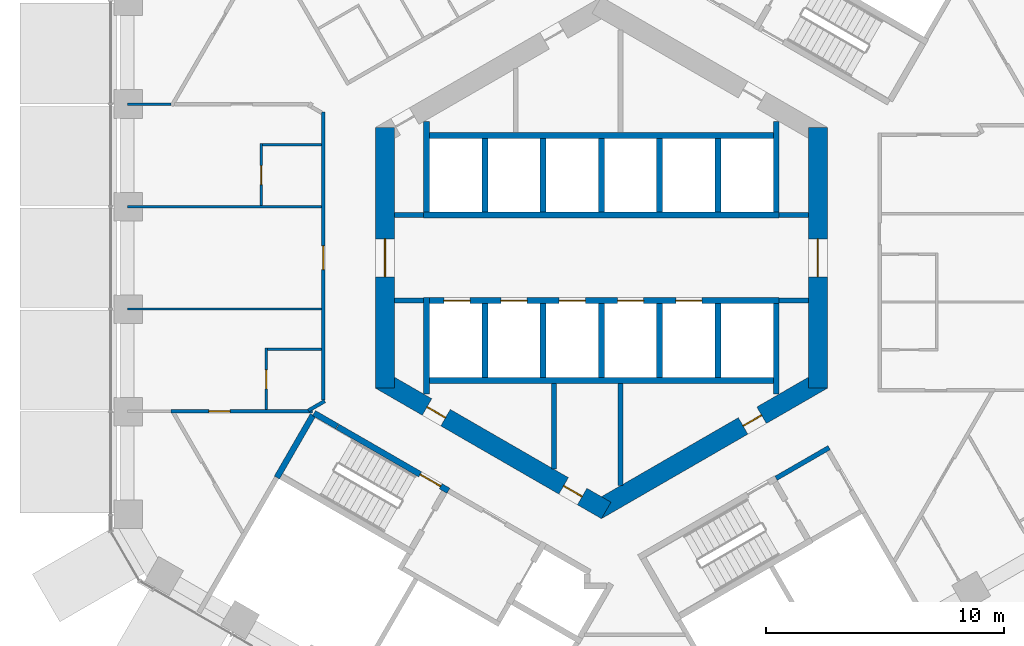
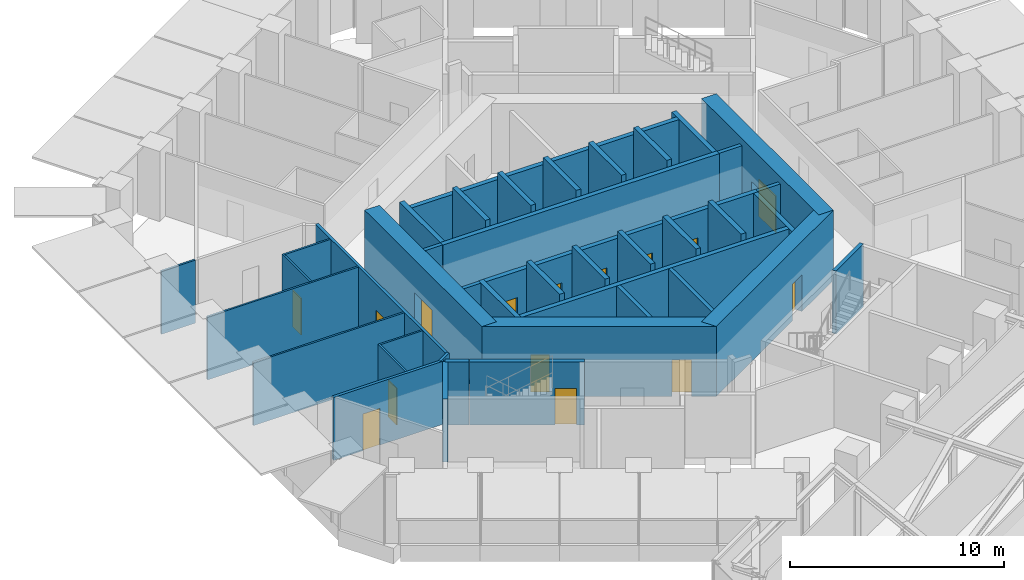
# One storey, part 18 of 28: 42 walls, 15 doors, 15 openings.
"""IFC4 building model written with IfcOpenShell, lengths in metres."""

from ifc_helpers import new_model, si_unit, direction, frame, frame_2d, origin, place, context, subcontext, project, spatial, rectangle, extrude, material, layer, layer_set, type_object, element, fill, save


model = new_model("IFC4")

# Units and contexts
model_context = context("Model", 3, precision=1e-05, world=origin(), true_north=direction((0.0, 1.0)))
body_context = subcontext(model_context, "Body", "Model", "MODEL_VIEW")
ifc_project = project(units=[si_unit("LENGTHUNIT", "METRE"), si_unit("AREAUNIT", "SQUARE_METRE"), si_unit("VOLUMEUNIT", "CUBIC_METRE"), si_unit("PLANEANGLEUNIT", "RADIAN"), si_unit("MASSUNIT", "GRAM", prefix="KILO")], contexts=[model_context])

# Site, building, storey
site_placement = place(None, origin())
site = spatial("IfcSite", under=ifc_project, at=site_placement, CompositionType="ELEMENT")
building_placement = place(site_placement, origin())
building = spatial("IfcBuilding", under=site, at=building_placement, Name="Ayvan Gate Tower", CompositionType="ELEMENT")
storey_placement = place(building_placement, frame((0.0, 0.0, 74.300048828125)))
storey = spatial("IfcBuildingStorey", under=building, at=storey_placement, Name="L19", CompositionType="ELEMENT", Elevation=74.300048828125)

# Wall, opening, door
ifc_material_1 = material(Name="Concrete C70/85", Category="concrete")
ifc_layer_1 = layer(ifc_material_1, 0.800048828125)
ifc_layer_set_1 = layer_set([ifc_layer_1], Name="Concrete C70/85")
wall_type_1 = type_object("IfcWallType", Name="Core wall 800 C70/85", PredefinedType="SHEAR", material=ifc_layer_set_1)
wall_1_placement = place(storey_placement, frame((9.10009765625, -5.48486328125, 0.0), z_axis=(0.0, 0.0, 1.0), x_axis=(0.0, 1.0, 0.0)))
wall_1 = element("IfcWall", 1, at=wall_1_placement, inside=storey, type_object=wall_type_1, Name="CORE-L19-0", PredefinedType="SHEAR", context=body_context, shape_type="SweptSolid", body=[
    extrude(rectangle(XDim=10.9697265625, YDim=0.800048828125, at=frame_2d((5.48486328125, 0.0))), origin(), (0.0, 0.0, 1.0), 4.0),
])
opening_1_placement = place(wall_1_placement, frame((4.684814453125, 0.0, 0.0)))
opening_1 = element("IfcOpeningElement", 2, at=opening_1_placement, cuts=wall_1, Name="Opening L19-D53", PredefinedType="OPENING", context=body_context, shape_type="SweptSolid", body=[
    extrude(rectangle(XDim=1.60009765625, YDim=2.10009765625, at=frame_2d((0.800048828125, 1.050048828125))), frame((0.0, 0.409912109375, 0.0), z_axis=(0.0, -1.0, 0.0), x_axis=(1.0, 0.0, 0.0)), (0.0, 0.0, 1.0), 0.820068359375),
])
ifc_material_2 = material(Name="Timber door leaf", Category="wood")
door_type_1 = type_object("IfcDoorType", Name="DT-1600", OperationType="NOTDEFINED", PredefinedType="DOOR", material=ifc_material_2)
door_1_placement = place(opening_1_placement, origin())
door_1 = element("IfcDoor", 3, at=door_1_placement, inside=storey, type_object=door_type_1, Name="CD-L19-53", OperationType="SINGLE_SWING_RIGHT", OverallHeight=2.10009765625, OverallWidth=1.60009765625, PredefinedType="DOOR", context=body_context, shape_type="SweptSolid", body=[
    extrude(rectangle(XDim=1.60009765625, YDim=2.10009765625, at=frame_2d((0.800048828125, 1.050048828125))), frame((0.0, 0.02490234375, 0.0), z_axis=(0.0, -1.0, 0.0), x_axis=(1.0, 0.0, 0.0)), (0.0, 0.0, 1.0), 0.050048828125),
])
fill(opening_1, door_1)

wall_2_placement = place(storey_placement, frame((-9.10009765625, 5.48486328125, 0.0), z_axis=(0.0, 0.0, 1.0), x_axis=(0.0, -1.0, 0.0)))
wall_2 = element("IfcWall", 4, at=wall_2_placement, inside=storey, type_object=wall_type_1, Name="CORE-L19-3", PredefinedType="SHEAR", context=body_context, shape_type="SweptSolid", body=[
    extrude(rectangle(XDim=10.9697265625, YDim=0.800048828125, at=frame_2d((5.48486328125, 0.0))), origin(), (0.0, 0.0, 1.0), 4.0),
])
opening_2_placement = place(wall_2_placement, frame((4.684814453125, 0.0, 0.0)))
opening_2 = element("IfcOpeningElement", 5, at=opening_2_placement, cuts=wall_2, Name="Opening L19-D54", PredefinedType="OPENING", context=body_context, shape_type="SweptSolid", body=[
    extrude(rectangle(XDim=1.60009765625, YDim=2.10009765625, at=frame_2d((0.800048828125, 1.050048828125))), frame((0.0, 0.409912109375, 0.0), z_axis=(0.0, -1.0, 0.0), x_axis=(1.0, 0.0, 0.0)), (0.0, 0.0, 1.0), 0.820068359375),
])
door_2_placement = place(opening_2_placement, origin())
door_2 = element("IfcDoor", 6, at=door_2_placement, inside=storey, type_object=door_type_1, Name="CD-L19-54", OperationType="SINGLE_SWING_LEFT", OverallHeight=2.10009765625, OverallWidth=1.60009765625, PredefinedType="DOOR", context=body_context, shape_type="SweptSolid", body=[
    extrude(rectangle(XDim=1.60009765625, YDim=2.10009765625, at=frame_2d((0.800048828125, 1.050048828125))), frame((0.0, 0.02490234375, 0.0), z_axis=(0.0, -1.0, 0.0), x_axis=(1.0, 0.0, 0.0)), (0.0, 0.0, 1.0), 0.050048828125),
])
fill(opening_2, door_2)

# Wall, openings, doors
wall_3_placement = place(storey_placement, frame((-9.300048828125, -5.138427734375, 0.0), z_axis=(0.0, 0.0, 1.0), x_axis=(0.866023993627, -0.500002442456, 0.0)))
wall_3 = element("IfcWall", 7, at=wall_3_placement, inside=storey, type_object=wall_type_1, Name="CORE-L19-4", PredefinedType="SHEAR", context=body_context, shape_type="SweptSolid", body=[
    extrude(rectangle(XDim=10.9697265625, YDim=0.800048828125, at=frame_2d((5.48486328125, 0.0))), origin(), (0.0, 0.0, 1.0), 4.0),
])
opening_3_placement = place(wall_3_placement, frame((2.268310546875, 0.0, 0.0)))
opening_3 = element("IfcOpeningElement", 8, at=opening_3_placement, cuts=wall_3, Name="Opening L19-D50", PredefinedType="OPENING", context=body_context, shape_type="SweptSolid", body=[
    extrude(rectangle(XDim=0.89990234375, YDim=2.10009765625, at=frame_2d((0.449951171875, 1.050048828125))), frame((0.0, 0.409912109375, 0.0), z_axis=(0.0, -1.0, 0.0), x_axis=(1.0, 0.0, 0.0)), (0.0, 0.0, 1.0), 0.820068359375),
])
opening_4_placement = place(wall_3_placement, frame((8.902587890625, 0.0, 0.0)))
opening_4 = element("IfcOpeningElement", 9, at=opening_4_placement, cuts=wall_3, Name="Opening L19-D51", PredefinedType="OPENING", context=body_context, shape_type="SweptSolid", body=[
    extrude(rectangle(XDim=0.89990234375, YDim=2.10009765625, at=frame_2d((0.449951171875, 1.050048828125))), frame((0.0, 0.409912109375, 0.0), z_axis=(0.0, -1.0, 0.0), x_axis=(1.0, 0.0, 0.0)), (0.0, 0.0, 1.0), 0.820068359375),
])
door_type_2 = type_object("IfcDoorType", Name="DT-900", OperationType="NOTDEFINED", PredefinedType="DOOR", material=ifc_material_2)
door_3_placement = place(opening_3_placement, origin())
door_3 = element("IfcDoor", 10, at=door_3_placement, inside=storey, type_object=door_type_2, Name="CD-L19-50", OperationType="SINGLE_SWING_LEFT", OverallHeight=2.10009765625, OverallWidth=0.89990234375, PredefinedType="DOOR", context=body_context, shape_type="SweptSolid", body=[
    extrude(rectangle(XDim=0.89990234375, YDim=2.10009765625, at=frame_2d((0.449951171875, 1.050048828125))), frame((0.0, 0.02490234375, 0.0), z_axis=(0.0, -1.0, 0.0), x_axis=(1.0, 0.0, 0.0)), (0.0, 0.0, 1.0), 0.050048828125),
])
fill(opening_3, door_3)
door_4_placement = place(opening_4_placement, origin())
door_4 = element("IfcDoor", 11, at=door_4_placement, inside=storey, type_object=door_type_2, Name="CD-L19-51", OperationType="SINGLE_SWING_RIGHT", OverallHeight=2.10009765625, OverallWidth=0.89990234375, PredefinedType="DOOR", context=body_context, shape_type="SweptSolid", body=[
    extrude(rectangle(XDim=0.89990234375, YDim=2.10009765625, at=frame_2d((0.449951171875, 1.050048828125))), frame((0.0, 0.02490234375, 0.0), z_axis=(0.0, -1.0, 0.0), x_axis=(1.0, 0.0, 0.0)), (0.0, 0.0, 1.0), 0.050048828125),
])
fill(opening_4, door_4)

# Wall, opening, door
wall_4_placement = place(storey_placement, frame((-0.199951171875, -10.623291015625, 0.0), z_axis=(0.0, 0.0, 1.0), x_axis=(0.866023993627, 0.500002442456, 0.0)))
wall_4 = element("IfcWall", 12, at=wall_4_placement, inside=storey, type_object=wall_type_1, Name="CORE-L19-5", PredefinedType="SHEAR", context=body_context, shape_type="SweptSolid", body=[
    extrude(rectangle(XDim=10.9697265625, YDim=0.800048828125, at=frame_2d((5.48486328125, 0.0))), origin(), (0.0, 0.0, 1.0), 4.0),
])
opening_5_placement = place(wall_4_placement, frame((7.108154296875, 0.0, 0.0)))
opening_5 = element("IfcOpeningElement", 13, at=opening_5_placement, cuts=wall_4, Name="Opening L19-D52", PredefinedType="OPENING", context=body_context, shape_type="SweptSolid", body=[
    extrude(rectangle(XDim=0.89990234375, YDim=2.10009765625, at=frame_2d((0.449951171875, 1.050048828125))), frame((0.0, 0.409912109375, 0.0), z_axis=(0.0, -1.0, 0.0), x_axis=(1.0, 0.0, 0.0)), (0.0, 0.0, 1.0), 0.820068359375),
])
door_5_placement = place(opening_5_placement, origin())
door_5 = element("IfcDoor", 14, at=door_5_placement, inside=storey, type_object=door_type_2, Name="CD-L19-52", OperationType="SINGLE_SWING_LEFT", OverallHeight=2.10009765625, OverallWidth=0.89990234375, PredefinedType="DOOR", context=body_context, shape_type="SweptSolid", body=[
    extrude(rectangle(XDim=0.89990234375, YDim=2.10009765625, at=frame_2d((0.449951171875, 1.050048828125))), frame((0.0, 0.02490234375, 0.0), z_axis=(0.0, -1.0, 0.0), x_axis=(1.0, 0.0, 0.0)), (0.0, 0.0, 1.0), 0.050048828125),
])
fill(opening_5, door_5)

ifc_material_3 = material(Name="Plasterboard on steel stud", Category="steel")
ifc_layer_2 = layer(ifc_material_3, 0.14990234375)
ifc_layer_set_2 = layer_set([ifc_layer_2], Name="Plasterboard on steel stud")
wall_type_2 = type_object("IfcWallType", Name="WT-CORR-150", PredefinedType="PARTITIONING", material=ifc_layer_set_2)
wall_5_placement = place(storey_placement, frame((-18.10693359375, -6.455810546875, 0.0), z_axis=(0.0, 0.0, 1.0), x_axis=(1.0, 0.0, 0.0)))
wall_5 = element("IfcWall", 15, at=wall_5_placement, inside=storey, type_object=wall_type_2, Name="IW-L19-003", PredefinedType="PARTITIONING", context=body_context, shape_type="SweptSolid", body=[
    extrude(rectangle(XDim=5.962890625, YDim=0.14990234375, at=frame_2d((2.9814453125, 0.0))), origin(), (0.0, 0.0, 1.0), 3.599853515625),
])
opening_6_placement = place(wall_5_placement, frame((1.59326171875, 0.0, 0.0)))
opening_6 = element("IfcOpeningElement", 16, at=opening_6_placement, cuts=wall_5, Name="Opening L19-D29", PredefinedType="OPENING", context=body_context, shape_type="SweptSolid", body=[
    extrude(rectangle(XDim=0.89990234375, YDim=2.10009765625, at=frame_2d((0.449951171875, 1.050048828125))), frame((0.0, 0.0849609375, 0.0), z_axis=(0.0, -1.0, 0.0), x_axis=(1.0, 0.0, 0.0)), (0.0, 0.0, 1.0), 0.169921875),
])
door_6_placement = place(opening_6_placement, origin())
door_6 = element("IfcDoor", 17, at=door_6_placement, inside=storey, type_object=door_type_2, Name="ID-L19-029", OperationType="SINGLE_SWING_RIGHT", OverallHeight=2.10009765625, OverallWidth=0.89990234375, PredefinedType="DOOR", context=body_context, shape_type="SweptSolid", body=[
    extrude(rectangle(XDim=0.89990234375, YDim=2.10009765625, at=frame_2d((0.449951171875, 1.050048828125))), frame((0.0, 0.02490234375, 0.0), z_axis=(0.0, -1.0, 0.0), x_axis=(1.0, 0.0, 0.0)), (0.0, 0.0, 1.0), 0.050048828125),
])
fill(opening_6, door_6)

# Wall
wall_6_placement = place(storey_placement, frame((-12.32470703125, -6.4228515625, 0.0), z_axis=(0.0, 0.0, 1.0), x_axis=(0.86602732995, 0.499996663769, 0.0)))
element("IfcWall", 18, at=wall_6_placement, inside=storey, type_object=wall_type_2, Name="IW-L19-013", PredefinedType="PARTITIONING", context=body_context, shape_type="SweptSolid", body=[
    extrude(rectangle(XDim=0.79638671875, YDim=0.14990234375, at=frame_2d((0.398193359375, 0.0))), origin(), (0.0, 0.0, 1.0), 3.599853515625),
])

# Wall, opening, door
wall_7_placement = place(storey_placement, frame((-11.699951171875, 6.13720703125, 0.0), z_axis=(0.0, 0.0, 1.0), x_axis=(0.0, -1.0, 0.0)))
wall_7 = element("IfcWall", 19, at=wall_7_placement, inside=storey, type_object=wall_type_2, Name="IW-L19-019", PredefinedType="PARTITIONING", context=body_context, shape_type="SweptSolid", body=[
    extrude(rectangle(XDim=12.12451171875, YDim=0.14990234375, at=frame_2d((6.062255859375, 0.0))), origin(), (0.0, 0.0, 1.0), 3.599853515625),
])
opening_7_placement = place(wall_7_placement, frame((5.63720703125, 0.0, 0.0)))
opening_7 = element("IfcOpeningElement", 20, at=opening_7_placement, cuts=wall_7, Name="Opening L19-D28", PredefinedType="OPENING", context=body_context, shape_type="SweptSolid", body=[
    extrude(rectangle(XDim=1.0, YDim=2.10009765625, at=frame_2d((0.5, 1.050048828125))), frame((0.0, 0.0849609375, 0.0), z_axis=(0.0, -1.0, 0.0), x_axis=(1.0, 0.0, 0.0)), (0.0, 0.0, 1.0), 0.169921875),
])
door_type_3 = type_object("IfcDoorType", Name="DT-1000", OperationType="NOTDEFINED", PredefinedType="DOOR", material=ifc_material_2)
door_7_placement = place(opening_7_placement, origin())
door_7 = element("IfcDoor", 21, at=door_7_placement, inside=storey, type_object=door_type_3, Name="ID-L19-028", OperationType="SINGLE_SWING_LEFT", OverallHeight=2.10009765625, OverallWidth=1.0, PredefinedType="DOOR", context=body_context, shape_type="SweptSolid", body=[
    extrude(rectangle(XDim=1.0, YDim=2.10009765625, at=frame_2d((0.5, 1.050048828125))), frame((0.0, 0.02490234375, 0.0), z_axis=(0.0, -1.0, 0.0), x_axis=(1.0, 0.0, 0.0)), (0.0, 0.0, 1.0), 0.050048828125),
])
fill(opening_7, door_7)

# Walls
ifc_layer_3 = layer(ifc_material_3, 0.10009765625)
ifc_layer_set_3 = layer_set([ifc_layer_3], Name="Plasterboard on steel stud")
wall_type_3 = type_object("IfcWallType", Name="WT-PART-100", PredefinedType="PARTITIONING", material=ifc_layer_set_3)
wall_8_placement = place(storey_placement, frame((-18.10693359375, 6.455810546875, 0.0), z_axis=(0.0, 0.0, 1.0), x_axis=(-1.0, 0.0, 0.0)))
element("IfcWall", 22, at=wall_8_placement, inside=storey, type_object=wall_type_3, Name="IW-L19-000", PredefinedType="PARTITIONING", context=body_context, shape_type="SweptSolid", body=[
    extrude(rectangle(XDim=1.825927734375, YDim=0.10009765625, at=frame_2d((0.9130859375, 0.0))), origin(), (0.0, 0.0, 1.0), 3.599853515625),
])
wall_9_placement = place(storey_placement, frame((-19.932861328125, 2.15185546875, 0.0), z_axis=(0.0, 0.0, 1.0), x_axis=(1.0, 0.0, 0.0)))
element("IfcWall", 23, at=wall_9_placement, inside=storey, type_object=wall_type_3, Name="IW-L19-007", PredefinedType="PARTITIONING", context=body_context, shape_type="SweptSolid", body=[
    extrude(rectangle(XDim=8.157958984375, YDim=0.10009765625, at=frame_2d((4.0791015625, 0.0))), origin(), (0.0, 0.0, 1.0), 3.599853515625),
])

# Wall, opening, door
wall_10_placement = place(storey_placement, frame((-14.300048828125, 4.805908203125, 0.0), z_axis=(0.0, 0.0, 1.0), x_axis=(0.0, -1.0, 0.0)))
wall_10 = element("IfcWall", 24, at=wall_10_placement, inside=storey, type_object=wall_type_3, Name="IW-L19-008", PredefinedType="PARTITIONING", context=body_context, shape_type="SweptSolid", body=[
    extrude(rectangle(XDim=2.60400390625, YDim=0.10009765625, at=frame_2d((1.302001953125, 0.0))), origin(), (0.0, 0.0, 1.0), 3.599853515625),
])
opening_8_placement = place(wall_10_placement, frame((0.927001953125, 0.0, 0.0)))
opening_8 = element("IfcOpeningElement", 25, at=opening_8_placement, cuts=wall_10, Name="Opening L19-D27", PredefinedType="OPENING", context=body_context, shape_type="SweptSolid", body=[
    extrude(rectangle(XDim=0.800048828125, YDim=2.10009765625, at=frame_2d((0.39990234375, 1.050048828125))), frame((0.0, 0.06005859375, 0.0), z_axis=(0.0, -1.0, 0.0), x_axis=(1.0, 0.0, 0.0)), (0.0, 0.0, 1.0), 0.1201171875),
])
door_type_4 = type_object("IfcDoorType", Name="DT-800", OperationType="NOTDEFINED", PredefinedType="DOOR", material=ifc_material_2)
door_8_placement = place(opening_8_placement, origin())
door_8 = element("IfcDoor", 26, at=door_8_placement, inside=storey, type_object=door_type_4, Name="ID-L19-027", OperationType="SINGLE_SWING_RIGHT", OverallHeight=2.10009765625, OverallWidth=0.800048828125, PredefinedType="DOOR", context=body_context, shape_type="SweptSolid", body=[
    extrude(rectangle(XDim=0.800048828125, YDim=2.10009765625, at=frame_2d((0.39990234375, 1.050048828125))), frame((0.0, 0.02490234375, 0.0), z_axis=(0.0, -1.0, 0.0), x_axis=(1.0, 0.0, 0.0)), (0.0, 0.0, 1.0), 0.050048828125),
])
fill(opening_8, door_8)

wall_11_placement = place(storey_placement, frame((-14.10009765625, -3.802001953125, 0.0), z_axis=(0.0, 0.0, 1.0), x_axis=(0.0, -1.0, 0.0)))
wall_11 = element("IfcWall", 27, at=wall_11_placement, inside=storey, type_object=wall_type_3, Name="IW-L19-009", PredefinedType="PARTITIONING", context=body_context, shape_type="SweptSolid", body=[
    extrude(rectangle(XDim=2.578857421875, YDim=0.10009765625, at=frame_2d((1.28955078125, 0.0))), origin(), (0.0, 0.0, 1.0), 3.599853515625),
])
opening_9_placement = place(wall_11_placement, frame((0.914306640625, 0.0, 0.0)))
opening_9 = element("IfcOpeningElement", 28, at=opening_9_placement, cuts=wall_11, Name="Opening L19-D30", PredefinedType="OPENING", context=body_context, shape_type="SweptSolid", body=[
    extrude(rectangle(XDim=0.800048828125, YDim=2.10009765625, at=frame_2d((0.39990234375, 1.050048828125))), frame((0.0, 0.06005859375, 0.0), z_axis=(0.0, -1.0, 0.0), x_axis=(1.0, 0.0, 0.0)), (0.0, 0.0, 1.0), 0.1201171875),
])
door_9_placement = place(opening_9_placement, origin())
door_9 = element("IfcDoor", 29, at=door_9_placement, inside=storey, type_object=door_type_4, Name="ID-L19-030", OperationType="SINGLE_SWING_LEFT", OverallHeight=2.10009765625, OverallWidth=0.800048828125, PredefinedType="DOOR", context=body_context, shape_type="SweptSolid", body=[
    extrude(rectangle(XDim=0.800048828125, YDim=2.10009765625, at=frame_2d((0.39990234375, 1.050048828125))), frame((0.0, 0.02490234375, 0.0), z_axis=(0.0, -1.0, 0.0), x_axis=(1.0, 0.0, 0.0)), (0.0, 0.0, 1.0), 0.050048828125),
])
fill(opening_9, door_9)

# Walls
wall_12_placement = place(storey_placement, frame((-11.77490234375, -3.851806640625, 0.0), z_axis=(0.0, 0.0, 1.0), x_axis=(-1.0, 0.0, 0.0)))
element("IfcWall", 30, at=wall_12_placement, inside=storey, type_object=wall_type_3, Name="IW-L19-017", PredefinedType="PARTITIONING", context=body_context, shape_type="SweptSolid", body=[
    extrude(rectangle(XDim=2.275146484375, YDim=0.10009765625, at=frame_2d((1.1376953125, 0.0))), origin(), (0.0, 0.0, 1.0), 3.599853515625),
])
wall_13_placement = place(storey_placement, frame((-11.77490234375, -2.15185546875, 0.0), z_axis=(0.0, 0.0, 1.0), x_axis=(-1.0, 0.0, 0.0)))
element("IfcWall", 31, at=wall_13_placement, inside=storey, type_object=wall_type_3, Name="IW-L19-018", PredefinedType="PARTITIONING", context=body_context, shape_type="SweptSolid", body=[
    extrude(rectangle(XDim=8.157958984375, YDim=0.10009765625, at=frame_2d((4.0791015625, 0.0))), origin(), (0.0, 0.0, 1.0), 3.599853515625),
])
wall_14_placement = place(storey_placement, frame((-11.77490234375, 4.755859375, 0.0), z_axis=(0.0, 0.0, 1.0), x_axis=(-1.0, 0.0, 0.0)))
element("IfcWall", 32, at=wall_14_placement, inside=storey, type_object=wall_type_3, Name="IW-L19-020", PredefinedType="PARTITIONING", context=body_context, shape_type="SweptSolid", body=[
    extrude(rectangle(XDim=2.47509765625, YDim=0.10009765625, at=frame_2d((1.237548828125, 0.0))), origin(), (0.0, 0.0, 1.0), 3.599853515625),
])
ifc_layer_4 = layer(ifc_material_3, 0.199951171875)
ifc_layer_set_4 = layer_set([ifc_layer_4], Name="Plasterboard on steel stud")
wall_type_4 = type_object("IfcWallType", Name="WT-RATED-200", PredefinedType="PARTITIONING", material=ifc_layer_set_4)
for number, where, z_axis, x_axis, name in (
    (33, (-8.699951171875, 1.800048828125, 0.0), (0.0, 0.0, 1.0), (1.0, 0.0, 0.0), "IW-L19-026"),
    (34, (-7.474853515625, -1.800048828125, 0.0), (0.0, 0.0, 1.0), (-1.0, 0.0, 0.0), "IW-L19-036"),
):
    element("IfcWall", number, at=place(storey_placement, frame(where, z_axis=z_axis, x_axis=x_axis)), inside=storey, type_object=wall_type_4, Name=name, PredefinedType="PARTITIONING", context=body_context, shape_type="SweptSolid", body=[
        extrude(rectangle(XDim=1.22509765625, YDim=0.199951171875, at=frame_2d((0.612548828125, 0.0))), origin(), (0.0, 0.0, 1.0), 3.599853515625),
    ])
wall_15_placement = place(storey_placement, frame((-2.0, -5.27490234375, 0.0), z_axis=(0.0, 0.0, 1.0), x_axis=(0.0, -1.0, 0.0)))
element("IfcWall", 35, at=wall_15_placement, inside=storey, type_object=wall_type_4, Name="IW-L19-056", PredefinedType="PARTITIONING", context=body_context, shape_type="SweptSolid", body=[
    extrude(rectangle(XDim=3.6162109375, YDim=0.199951171875, at=frame_2d((1.80810546875, 0.0))), origin(), (0.0, 0.0, 1.0), 3.599853515625),
])
wall_16_placement = place(storey_placement, frame((0.800048828125, -5.27490234375, 0.0), z_axis=(0.0, 0.0, 1.0), x_axis=(0.0, -1.0, 0.0)))
element("IfcWall", 36, at=wall_16_placement, inside=storey, type_object=wall_type_4, Name="IW-L19-069", PredefinedType="PARTITIONING", context=body_context, shape_type="SweptSolid", body=[
    extrude(rectangle(XDim=4.30908203125, YDim=0.199951171875, at=frame_2d((2.154541015625, 0.0))), origin(), (0.0, 0.0, 1.0), 3.599853515625),
])
wall_17_placement = place(storey_placement, frame((7.343994140625, -9.27001953125, 0.0), z_axis=(0.0, 0.0, 1.0), x_axis=(0.866005588531, 0.500034319456, 0.0)))
element("IfcWall", 37, at=wall_17_placement, inside=storey, type_object=wall_type_4, Name="IW-L19-092", PredefinedType="PARTITIONING", context=body_context, shape_type="SweptSolid", body=[
    extrude(rectangle(XDim=2.574951171875, YDim=0.199951171875, at=frame_2d((1.28759765625, 0.0))), origin(), (0.0, 0.0, 1.0), 3.599853515625),
])
for number, where, z_axis, x_axis, name in (
    (38, (7.474853515625, 1.800048828125, 0.0), (0.0, 0.0, 1.0), (1.0, 0.0, 0.0), "IW-L19-093"),
    (39, (8.699951171875, -1.800048828125, 0.0), (0.0, 0.0, 1.0), (-1.0, 0.0, 0.0), "IW-L19-099"),
):
    element("IfcWall", number, at=place(storey_placement, frame(where, z_axis=z_axis, x_axis=x_axis)), inside=storey, type_object=wall_type_4, Name=name, PredefinedType="PARTITIONING", context=body_context, shape_type="SweptSolid", body=[
        extrude(rectangle(XDim=1.22509765625, YDim=0.199951171875, at=frame_2d((0.612548828125, 0.0))), origin(), (0.0, 0.0, 1.0), 3.599853515625),
    ])
ifc_material_4 = material(Name="Concrete C50/60", Category="concrete")
ifc_layer_5 = layer(ifc_material_4, 0.25)
ifc_layer_set_5 = layer_set([ifc_layer_5], Name="Concrete C50/60")
wall_type_5 = type_object("IfcWallType", Name="WT-RC-250", PredefinedType="SHEAR", material=ifc_layer_set_5)
wall_18_placement = place(storey_placement, frame((-13.64794921875, -9.23876953125, 0.0), z_axis=(0.0, 0.0, 1.0), x_axis=(0.50000556753, 0.866022189346, 0.0)))
element("IfcWall", 40, at=wall_18_placement, inside=storey, type_object=wall_type_5, Name="IW-L19-011", PredefinedType="SHEAR", context=body_context, shape_type="SweptSolid", body=[
    extrude(rectangle(XDim=3.03564453125, YDim=0.25, at=frame_2d((1.517822265625, 0.0))), origin(), (0.0, 0.0, 1.0), 3.599853515625),
])
wall_19_placement = place(storey_placement, frame((-12.08544921875, -6.532470703125, 0.0), z_axis=(0.0, 0.0, 1.0), x_axis=(0.86604373436, -0.499968249168, 0.0)))
element("IfcWall", 41, at=wall_19_placement, inside=storey, type_object=wall_type_5, Name="IW-L19-016", PredefinedType="SHEAR", context=body_context, shape_type="SweptSolid", body=[
    extrude(rectangle(XDim=1.11767578125, YDim=0.25, at=frame_2d((0.558837890625, 0.0))), origin(), (0.0, 0.0, 1.0), 3.599853515625),
])

# Wall, opening, door
wall_20_placement = place(storey_placement, frame((-11.10009765625, -7.101318359375, 0.0), z_axis=(0.0, 0.0, 1.0), x_axis=(0.866028615007, -0.499994437958, 0.0)))
wall_20 = element("IfcWall", 42, at=wall_20_placement, inside=storey, type_object=wall_type_5, Name="IW-L19-022", PredefinedType="SHEAR", context=body_context, shape_type="SweptSolid", body=[
    extrude(rectangle(XDim=5.38720703125, YDim=0.25, at=frame_2d((2.693603515625, 0.0))), origin(), (0.0, 0.0, 1.0), 3.599853515625),
])
opening_10_placement = place(wall_20_placement, frame((4.01220703125, 0.0, 0.0)))
opening_10 = element("IfcOpeningElement", 43, at=opening_10_placement, cuts=wall_20, Name="Opening L19-D10", PredefinedType="OPENING", context=body_context, shape_type="SweptSolid", body=[
    extrude(rectangle(XDim=1.0, YDim=2.10009765625, at=frame_2d((0.5, 1.050048828125))), frame((0.0, 0.135009765625, 0.0), z_axis=(0.0, -1.0, 0.0), x_axis=(1.0, 0.0, 0.0)), (0.0, 0.0, 1.0), 0.27001953125),
])
door_10_placement = place(opening_10_placement, origin())
door_10 = element("IfcDoor", 44, at=door_10_placement, inside=storey, type_object=door_type_3, Name="ID-L19-010", OperationType="SINGLE_SWING_LEFT", OverallHeight=2.10009765625, OverallWidth=1.0, PredefinedType="DOOR", context=body_context, shape_type="SweptSolid", body=[
    extrude(rectangle(XDim=1.0, YDim=2.10009765625, at=frame_2d((0.5, 1.050048828125))), frame((0.0, 0.02490234375, 0.0), z_axis=(0.0, -1.0, 0.0), x_axis=(1.0, 0.0, 0.0)), (0.0, 0.0, 1.0), 0.050048828125),
])
fill(opening_10, door_10)

# Walls
wall_21_placement = place(storey_placement, frame((-7.47509765625, 1.800048828125, 0.0), z_axis=(0.0, 0.0, 1.0), x_axis=(1.0, 0.0, 0.0)))
element("IfcWall", 45, at=wall_21_placement, inside=storey, type_object=wall_type_5, Name="IW-L19-032", PredefinedType="SHEAR", context=body_context, shape_type="SweptSolid", body=[
    extrude(rectangle(XDim=14.9501953125, YDim=0.25, at=frame_2d((7.47509765625, 0.0))), origin(), (0.0, 0.0, 1.0), 3.599853515625),
])
wall_22_placement = place(storey_placement, frame((-7.35009765625, -5.730224609375, 0.0), z_axis=(0.0, 0.0, 1.0), x_axis=(0.0, 1.0, 0.0)))
element("IfcWall", 46, at=wall_22_placement, inside=storey, type_object=wall_type_5, Name="IW-L19-033", PredefinedType="SHEAR", context=body_context, shape_type="SweptSolid", body=[
    extrude(rectangle(XDim=4.05517578125, YDim=0.25, at=frame_2d((2.027587890625, 0.0))), origin(), (0.0, 0.0, 1.0), 3.599853515625),
])
wall_23_placement = place(storey_placement, frame((-7.35009765625, 1.925048828125, 0.0), z_axis=(0.0, 0.0, 1.0), x_axis=(0.0, 1.0, 0.0)))
element("IfcWall", 47, at=wall_23_placement, inside=storey, type_object=wall_type_5, Name="IW-L19-034", PredefinedType="SHEAR", context=body_context, shape_type="SweptSolid", body=[
    extrude(rectangle(XDim=3.80517578125, YDim=0.25, at=frame_2d((1.902587890625, 0.0))), origin(), (0.0, 0.0, 1.0), 3.599853515625),
])
for number, where, z_axis, x_axis, name in (
    (48, (-7.22509765625, 5.14990234375, 0.0), (0.0, 0.0, 1.0), (1.0, 0.0, 0.0), "IW-L19-035"),
    (49, (-7.22509765625, -5.14990234375, 0.0), (0.0, 0.0, 1.0), (1.0, 0.0, 0.0), "IW-L19-042"),
):
    element("IfcWall", number, at=place(storey_placement, frame(where, z_axis=z_axis, x_axis=x_axis)), inside=storey, type_object=wall_type_5, Name=name, PredefinedType="SHEAR", context=body_context, shape_type="SweptSolid", body=[
        extrude(rectangle(XDim=14.7001953125, YDim=0.25, at=frame_2d((7.35009765625, 0.0))), origin(), (0.0, 0.0, 1.0), 3.599853515625),
    ])
for number, where, z_axis, x_axis, name in (
    (50, (-4.89990234375, -1.925048828125, 0.0), (0.0, 0.0, 1.0), (0.0, -1.0, 0.0), "IW-L19-043"),
    (51, (-4.89990234375, 5.02490234375, 0.0), (0.0, 0.0, 1.0), (0.0, -1.0, 0.0), "IW-L19-044"),
):
    element("IfcWall", number, at=place(storey_placement, frame(where, z_axis=z_axis, x_axis=x_axis)), inside=storey, type_object=wall_type_5, Name=name, PredefinedType="SHEAR", context=body_context, shape_type="SweptSolid", body=[
        extrude(rectangle(XDim=3.099853515625, YDim=0.25, at=frame_2d((1.5498046875, 0.0))), origin(), (0.0, 0.0, 1.0), 4.0),
    ])

# Wall, openings, doors
wall_24_placement = place(storey_placement, frame((-7.22509765625, -1.800048828125, 0.0), z_axis=(0.0, 0.0, 1.0), x_axis=(1.0, 0.0, 0.0)))
wall_24 = element("IfcWall", 52, at=wall_24_placement, inside=storey, type_object=wall_type_5, Name="IW-L19-045", PredefinedType="SHEAR", context=body_context, shape_type="SweptSolid", body=[
    extrude(rectangle(XDim=14.7001953125, YDim=0.25, at=frame_2d((7.35009765625, 0.0))), origin(), (0.0, 0.0, 1.0), 3.599853515625),
])
opening_11_placement = place(wall_24_placement, frame((0.597412109375, 0.0, 0.0)))
opening_11 = element("IfcOpeningElement", 53, at=opening_11_placement, cuts=wall_24, Name="Opening L19-LD-LR1", PredefinedType="OPENING", context=body_context, shape_type="SweptSolid", body=[
    extrude(rectangle(XDim=1.10009765625, YDim=2.10009765625, at=frame_2d((0.550048828125, 1.050048828125))), frame((0.0, 0.135009765625, 0.0), z_axis=(0.0, -1.0, 0.0), x_axis=(1.0, 0.0, 0.0)), (0.0, 0.0, 1.0), 0.27001953125),
])
opening_12_placement = place(wall_24_placement, frame((3.0, 0.0, 0.0)))
opening_12 = element("IfcOpeningElement", 54, at=opening_12_placement, cuts=wall_24, Name="Opening L19-LD-LR2", PredefinedType="OPENING", context=body_context, shape_type="SweptSolid", body=[
    extrude(rectangle(XDim=1.10009765625, YDim=2.10009765625, at=frame_2d((0.550048828125, 1.050048828125))), frame((0.0, 0.135009765625, 0.0), z_axis=(0.0, -1.0, 0.0), x_axis=(1.0, 0.0, 0.0)), (0.0, 0.0, 1.0), 0.27001953125),
])
opening_13_placement = place(wall_24_placement, frame((5.4501953125, 0.0, 0.0)))
opening_13 = element("IfcOpeningElement", 55, at=opening_13_placement, cuts=wall_24, Name="Opening L19-LD-LR3", PredefinedType="OPENING", context=body_context, shape_type="SweptSolid", body=[
    extrude(rectangle(XDim=1.10009765625, YDim=2.10009765625, at=frame_2d((0.550048828125, 1.050048828125))), frame((0.0, 0.135009765625, 0.0), z_axis=(0.0, -1.0, 0.0), x_axis=(1.0, 0.0, 0.0)), (0.0, 0.0, 1.0), 0.27001953125),
])
opening_14_placement = place(wall_24_placement, frame((7.900146484375, 0.0, 0.0)))
opening_14 = element("IfcOpeningElement", 56, at=opening_14_placement, cuts=wall_24, Name="Opening L19-LD-LR4", PredefinedType="OPENING", context=body_context, shape_type="SweptSolid", body=[
    extrude(rectangle(XDim=1.10009765625, YDim=2.10009765625, at=frame_2d((0.550048828125, 1.050048828125))), frame((0.0, 0.135009765625, 0.0), z_axis=(0.0, -1.0, 0.0), x_axis=(1.0, 0.0, 0.0)), (0.0, 0.0, 1.0), 0.27001953125),
])
opening_15_placement = place(wall_24_placement, frame((10.35009765625, 0.0, 0.0)))
opening_15 = element("IfcOpeningElement", 57, at=opening_15_placement, cuts=wall_24, Name="Opening L19-LD-SV", PredefinedType="OPENING", context=body_context, shape_type="SweptSolid", body=[
    extrude(rectangle(XDim=1.10009765625, YDim=2.10009765625, at=frame_2d((0.550048828125, 1.050048828125))), frame((0.0, 0.135009765625, 0.0), z_axis=(0.0, -1.0, 0.0), x_axis=(1.0, 0.0, 0.0)), (0.0, 0.0, 1.0), 0.27001953125),
])
ifc_material_5 = material(Name="Stainless steel landing door", Category="steel")
door_type_5 = type_object("IfcDoorType", Name="DT-LANDING-1100", OperationType="SLIDING_TO_LEFT", PredefinedType="DOOR", material=ifc_material_5)
door_11_placement = place(opening_11_placement, origin())
door_11 = element("IfcDoor", 58, at=door_11_placement, inside=storey, type_object=door_type_5, Name="ID-L19-001", OperationType="SLIDING_TO_LEFT", OverallHeight=2.10009765625, OverallWidth=1.10009765625, PredefinedType="DOOR", context=body_context, shape_type="SweptSolid", body=[
    extrude(rectangle(XDim=1.10009765625, YDim=2.10009765625, at=frame_2d((0.550048828125, 1.050048828125))), frame((0.0, 0.02490234375, 0.0), z_axis=(0.0, -1.0, 0.0), x_axis=(1.0, 0.0, 0.0)), (0.0, 0.0, 1.0), 0.050048828125),
])
fill(opening_11, door_11)
door_12_placement = place(opening_12_placement, origin())
door_12 = element("IfcDoor", 59, at=door_12_placement, inside=storey, type_object=door_type_5, Name="ID-L19-002", OperationType="SLIDING_TO_LEFT", OverallHeight=2.10009765625, OverallWidth=1.10009765625, PredefinedType="DOOR", context=body_context, shape_type="SweptSolid", body=[
    extrude(rectangle(XDim=1.10009765625, YDim=2.10009765625, at=frame_2d((0.550048828125, 1.050048828125))), frame((0.0, 0.02490234375, 0.0), z_axis=(0.0, -1.0, 0.0), x_axis=(1.0, 0.0, 0.0)), (0.0, 0.0, 1.0), 0.050048828125),
])
fill(opening_12, door_12)
door_13_placement = place(opening_13_placement, origin())
door_13 = element("IfcDoor", 60, at=door_13_placement, inside=storey, type_object=door_type_5, Name="ID-L19-003", OperationType="SLIDING_TO_LEFT", OverallHeight=2.10009765625, OverallWidth=1.10009765625, PredefinedType="DOOR", context=body_context, shape_type="SweptSolid", body=[
    extrude(rectangle(XDim=1.10009765625, YDim=2.10009765625, at=frame_2d((0.550048828125, 1.050048828125))), frame((0.0, 0.02490234375, 0.0), z_axis=(0.0, -1.0, 0.0), x_axis=(1.0, 0.0, 0.0)), (0.0, 0.0, 1.0), 0.050048828125),
])
fill(opening_13, door_13)
door_14_placement = place(opening_14_placement, origin())
door_14 = element("IfcDoor", 61, at=door_14_placement, inside=storey, type_object=door_type_5, Name="ID-L19-004", OperationType="SLIDING_TO_LEFT", OverallHeight=2.10009765625, OverallWidth=1.10009765625, PredefinedType="DOOR", context=body_context, shape_type="SweptSolid", body=[
    extrude(rectangle(XDim=1.10009765625, YDim=2.10009765625, at=frame_2d((0.550048828125, 1.050048828125))), frame((0.0, 0.02490234375, 0.0), z_axis=(0.0, -1.0, 0.0), x_axis=(1.0, 0.0, 0.0)), (0.0, 0.0, 1.0), 0.050048828125),
])
fill(opening_14, door_14)
door_15_placement = place(opening_15_placement, origin())
door_15 = element("IfcDoor", 62, at=door_15_placement, inside=storey, type_object=door_type_5, Name="ID-L19-005", OperationType="SLIDING_TO_LEFT", OverallHeight=2.10009765625, OverallWidth=1.10009765625, PredefinedType="DOOR", context=body_context, shape_type="SweptSolid", body=[
    extrude(rectangle(XDim=1.10009765625, YDim=2.10009765625, at=frame_2d((0.550048828125, 1.050048828125))), frame((0.0, 0.02490234375, 0.0), z_axis=(0.0, -1.0, 0.0), x_axis=(1.0, 0.0, 0.0)), (0.0, 0.0, 1.0), 0.050048828125),
])
fill(opening_15, door_15)

# Walls
for number, where, z_axis, x_axis, name in (
    (63, (-2.449951171875, -1.925048828125, 0.0), (0.0, 0.0, 1.0), (0.0, -1.0, 0.0), "IW-L19-053"),
    (64, (-2.449951171875, 5.02490234375, 0.0), (0.0, 0.0, 1.0), (0.0, -1.0, 0.0), "IW-L19-054"),
    (65, (0.0, -1.925048828125, 0.0), (0.0, 0.0, 1.0), (0.0, -1.0, 0.0), "IW-L19-065"),
    (66, (0.0, 5.02490234375, 0.0), (0.0, 0.0, 1.0), (0.0, -1.0, 0.0), "IW-L19-066"),
    (67, (2.449951171875, -1.925048828125, 0.0), (0.0, 0.0, 1.0), (0.0, -1.0, 0.0), "IW-L19-076"),
    (68, (2.449951171875, 5.02490234375, 0.0), (0.0, 0.0, 1.0), (0.0, -1.0, 0.0), "IW-L19-077"),
    (69, (4.89990234375, -1.925048828125, 0.0), (0.0, 0.0, 1.0), (0.0, -1.0, 0.0), "IW-L19-085"),
    (70, (4.89990234375, 5.02490234375, 0.0), (0.0, 0.0, 1.0), (0.0, -1.0, 0.0), "IW-L19-086"),
):
    element("IfcWall", number, at=place(storey_placement, frame(where, z_axis=z_axis, x_axis=x_axis)), inside=storey, type_object=wall_type_5, Name=name, PredefinedType="SHEAR", context=body_context, shape_type="SweptSolid", body=[
        extrude(rectangle(XDim=3.099853515625, YDim=0.25, at=frame_2d((1.5498046875, 0.0))), origin(), (0.0, 0.0, 1.0), 4.0),
    ])
for number, where, z_axis, x_axis, name in (
    (71, (7.35009765625, -1.925048828125, 0.0), (0.0, 0.0, 1.0), (0.0, -1.0, 0.0), "IW-L19-094"),
    (72, (7.35009765625, 5.730224609375, 0.0), (0.0, 0.0, 1.0), (0.0, -1.0, 0.0), "IW-L19-095"),
):
    element("IfcWall", number, at=place(storey_placement, frame(where, z_axis=z_axis, x_axis=x_axis)), inside=storey, type_object=wall_type_5, Name=name, PredefinedType="SHEAR", context=body_context, shape_type="SweptSolid", body=[
        extrude(rectangle(XDim=3.80517578125, YDim=0.25, at=frame_2d((1.902587890625, 0.0))), origin(), (0.0, 0.0, 1.0), 3.599853515625),
    ])

save(model, "model.ifc")
